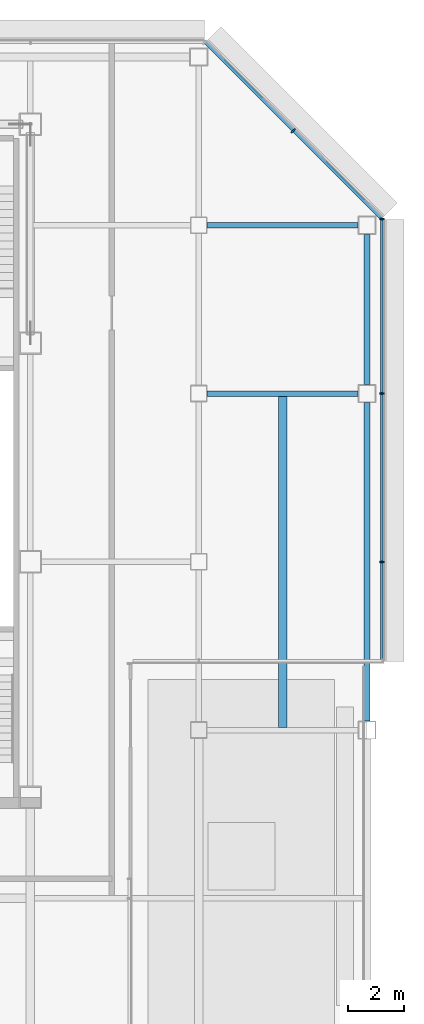
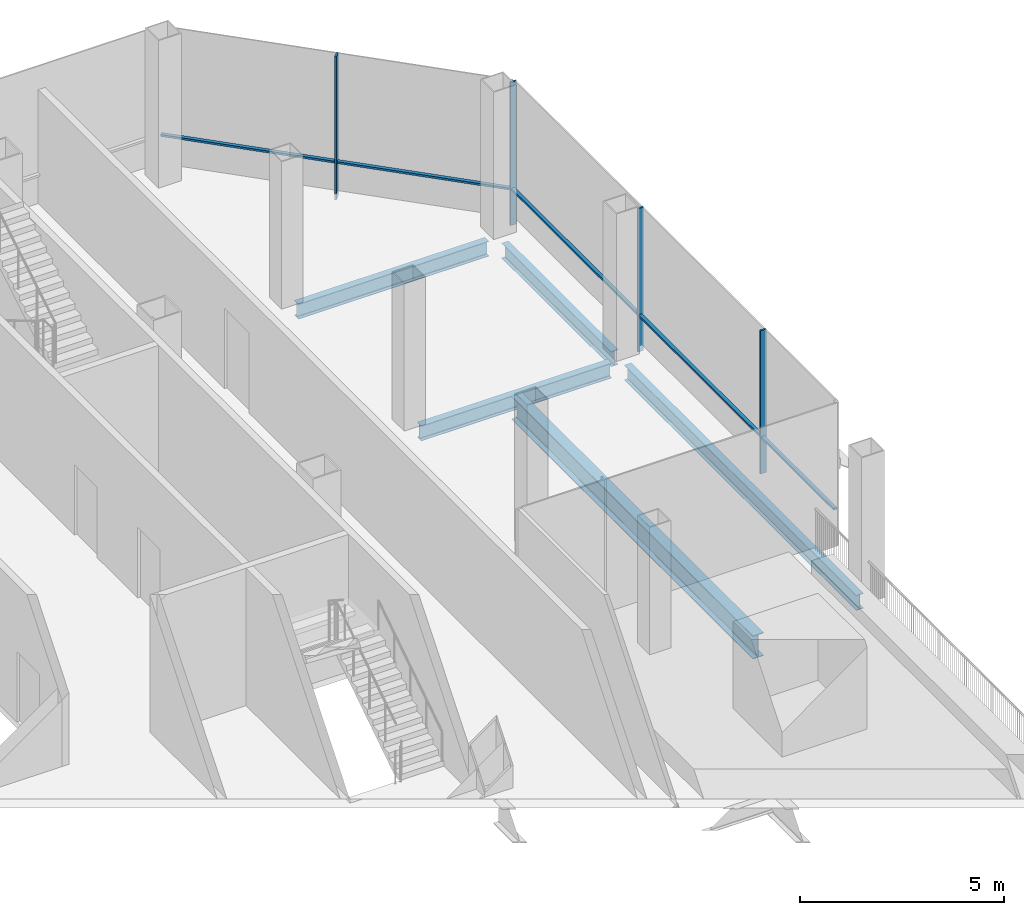
# One storey, part 18 of 30: 6 members, 5 beams, 2 elements without a shape of their own.
"""IFC4 building model written with IfcOpenShell, lengths in metres."""

from ifc_helpers import new_model, si_unit, direction, frame, origin, origin_2d, place, context, subcontext, project, spatial, rectangle, i_section, extrude, material, material_profile, profile_set, type_object, element, aggregate, save


model = new_model("IFC4")

# Units and contexts
model_context = context("Model", 3, precision=1e-05, world=origin(), true_north=direction((0.0, 1.0)))
body_context = subcontext(model_context, "Body", "Model", "MODEL_VIEW")
ifc_project = project(units=[si_unit("LENGTHUNIT", "METRE"), si_unit("AREAUNIT", "SQUARE_METRE"), si_unit("VOLUMEUNIT", "CUBIC_METRE"), si_unit("PLANEANGLEUNIT", "RADIAN"), si_unit("MASSUNIT", "GRAM", prefix="KILO")], contexts=[model_context])

# Site, building, storey
site_placement = place(None, origin())
site = spatial("IfcSite", under=ifc_project, at=site_placement, CompositionType="ELEMENT")
building_placement = place(site_placement, origin())
building = spatial("IfcBuilding", under=site, at=building_placement, Name="Sorahane Residences", CompositionType="ELEMENT")
storey_placement = place(building_placement, frame((0.0, 0.0, 229.800048828125)))
storey = spatial("IfcBuildingStorey", under=building, at=storey_placement, Name="L54", CompositionType="ELEMENT", Elevation=229.800048828125)

# Curtain wall, members
ifc_material_1 = material(Name="Dark low-e glass and black anodised aluminium", Category="aluminium")
curtain_wall_type_1 = type_object("IfcCurtainWallType", Name="Curtain wall CW-1 Typical unitised wall", PredefinedType="NOTDEFINED", material=ifc_material_1)
curtain_wall_1_placement = place(storey_placement, origin())
curtain_wall_1 = element("IfcCurtainWall", 1, at=curtain_wall_1_placement, inside=storey, type_object=curtain_wall_type_1, Name="CW-1 curtain wall L54 E3", PredefinedType="NOTDEFINED")
ifc_material_2 = material(Name="Black anodised aluminium", Category="aluminium")
ifc_material_profile_1 = material_profile(ifc_material_2, rectangle(XDim=0.159912109375, YDim=0.050048828125, at=origin_2d()), Name="Curtain wall mullion CW-1 black anodised aluminium 50x160")
ifc_profile_set_1 = profile_set([ifc_material_profile_1], Name="Black anodised aluminium")
member_type_1 = type_object("IfcMemberType", Name="Curtain wall mullion CW-1 black anodised aluminium 50x160", PredefinedType="MULLION", material=ifc_profile_set_1)
member_1_placement = place(storey_placement, frame((54.5400390625, 30.0, -0.179931640625), z_axis=(0.0, 0.0, 1.0), x_axis=(1.0, 0.0, 0.0)))
member_1 = element("IfcMember", 2, at=member_1_placement, type_object=member_type_1, Name="CW-1 mullion L54 E3.2", PredefinedType="MULLION", context=body_context, shape_type="SweptSolid", body=[
    extrude(rectangle(XDim=0.159912109375, YDim=0.050048828125, at=origin_2d()), origin(), (0.0, 0.0, 1.0), 4.27978515625),
])
member_2_placement = place(storey_placement, frame((54.5400390625, 36.0, -0.179931640625), z_axis=(0.0, 0.0, 1.0), x_axis=(1.0, 0.0, 0.0)))
member_2 = element("IfcMember", 3, at=member_2_placement, type_object=member_type_1, Name="CW-1 mullion L54 E3.3", PredefinedType="MULLION", context=body_context, shape_type="SweptSolid", body=[
    extrude(rectangle(XDim=0.159912109375, YDim=0.050048828125, at=origin_2d()), origin(), (0.0, 0.0, 1.0), 4.27978515625),
])
member_3_placement = place(storey_placement, frame((54.5400390625, 42.2236328125, -0.179931640625), z_axis=(0.0, 0.0, 1.0), x_axis=(1.0, 0.0, 0.0)))
member_3 = element("IfcMember", 4, at=member_3_placement, type_object=member_type_1, Name="CW-1 mullion L54 E3.4", PredefinedType="MULLION", context=body_context, shape_type="SweptSolid", body=[
    extrude(rectangle(XDim=0.159912109375, YDim=0.050048828125, at=origin_2d()), origin(), (0.0, 0.0, 1.0), 4.27978515625),
])

# Curtain wall, member
ifc_material_3 = material(Name="Dark low-e glass and black anodised aluminium", Category="aluminium")
curtain_wall_type_2 = type_object("IfcCurtainWallType", Name="Curtain wall CW-2 Chamfer unitised wall", PredefinedType="NOTDEFINED", material=ifc_material_3)
curtain_wall_2_placement = place(storey_placement, origin())
curtain_wall_2 = element("IfcCurtainWall", 5, at=curtain_wall_2_placement, inside=storey, type_object=curtain_wall_type_2, Name="CW-2 curtain wall L54 NE1", PredefinedType="NOTDEFINED")
ifc_material_4 = material(Name="Black anodised aluminium", Category="aluminium")
ifc_material_profile_2 = material_profile(ifc_material_4, rectangle(XDim=0.199951171875, YDim=0.050048828125, at=origin_2d()), Name="Curtain wall mullion CW-2 black anodised aluminium 50x200")
ifc_profile_set_2 = profile_set([ifc_material_profile_2], Name="Black anodised aluminium")
member_type_2 = type_object("IfcMemberType", Name="Curtain wall mullion CW-2 black anodised aluminium 50x200", PredefinedType="MULLION", material=ifc_profile_set_2)
member_4_placement = place(storey_placement, frame((51.36767578125, 45.36767578125, -0.179931640625), z_axis=(0.0, 0.0, 1.0), x_axis=(0.707106781187, 0.707106781187, 0.0)))
member_4 = element("IfcMember", 6, at=member_4_placement, type_object=member_type_2, Name="CW-2 mullion L54 NE1.2", PredefinedType="MULLION", context=body_context, shape_type="SweptSolid", body=[
    extrude(rectangle(XDim=0.199951171875, YDim=0.050048828125, at=origin_2d()), origin(), (0.0, 0.0, 1.0), 4.27978515625),
])

# Member
ifc_material_5 = material(Name="Black anodised aluminium", Category="aluminium")
ifc_material_profile_3 = material_profile(ifc_material_5, rectangle(XDim=0.10009765625, YDim=0.06005859375, at=origin_2d()), Name="Curtain wall transom CW-1 black anodised aluminium 60x100")
ifc_profile_set_3 = profile_set([ifc_material_profile_3], Name="Black anodised aluminium")
member_type_3 = type_object("IfcMemberType", Name="Curtain wall transom CW-1 black anodised aluminium 60x100", PredefinedType="USERDEFINED", material=ifc_profile_set_3)
member_5_placement = place(storey_placement, frame((54.530029296875, 26.449951171875, 0.89990234375), z_axis=(0.0, 1.0, 0.0), x_axis=(-1.0, 0.0, 0.0)))
member_5 = element("IfcMember", 7, at=member_5_placement, type_object=member_type_3, Name="CW-1 transom L54 E3", ObjectType="TRANSOM", PredefinedType="USERDEFINED", context=body_context, shape_type="SweptSolid", body=[
    extrude(rectangle(XDim=0.10009765625, YDim=0.06005859375, at=origin_2d()), origin(), (0.0, 0.0, 1.0), 15.74853515625),
])

aggregate(curtain_wall_1, [member_1, member_2, member_3, member_5])

ifc_material_6 = material(Name="Black anodised aluminium", Category="aluminium")
ifc_material_profile_4 = material_profile(ifc_material_6, rectangle(XDim=0.10009765625, YDim=0.06005859375, at=origin_2d()), Name="Curtain wall transom CW-2 black anodised aluminium 60x100")
ifc_profile_set_4 = profile_set([ifc_material_profile_4], Name="Black anodised aluminium")
member_type_4 = type_object("IfcMemberType", Name="Curtain wall transom CW-2 black anodised aluminium 60x100", PredefinedType="USERDEFINED", material=ifc_profile_set_4)
member_6_placement = place(storey_placement, frame((54.51513671875, 42.234375, 0.89990234375), z_axis=(-0.707106781187, 0.707106781187, 0.0), x_axis=(-0.707106781187, -0.707106781187, 0.0)))
member_6 = element("IfcMember", 8, at=member_6_placement, type_object=member_type_4, Name="CW-2 transom L54 NE1", ObjectType="TRANSOM", PredefinedType="USERDEFINED", context=body_context, shape_type="SweptSolid", body=[
    extrude(rectangle(XDim=0.10009765625, YDim=0.06005859375, at=origin_2d()), origin(), (0.0, 0.0, 1.0), 8.88232421875),
])

aggregate(curtain_wall_2, [member_4, member_6])

# Beams
ifc_material_7 = material(Name="Steel Q355B", Category="steel")
ifc_material_profile_5 = material_profile(ifc_material_7, i_section(OverallWidth=0.199951171875, OverallDepth=0.449951171875, WebThickness=0.009033203125, FlangeThickness=0.013916015625, FilletRadius=0.02001953125, at=origin_2d()), Name="HN 450x200x9x14")
ifc_profile_set_5 = profile_set([ifc_material_profile_5], Name="Steel Q355B")
beam_type_1 = type_object("IfcBeamType", Name="Steel floor beam HN 450x200x9x14 Q355B", PredefinedType="BEAM", material=ifc_profile_set_5)
beam_1_placement = place(storey_placement, frame((48.300048828125, 36.0, -0.405029296875), z_axis=(1.0, 0.0, 0.0), x_axis=(0.0, 1.0, 0.0)))
element("IfcBeam", 9, at=beam_1_placement, inside=storey, type_object=beam_type_1, Name="Beam L54 014", PredefinedType="BEAM", context=body_context, shape_type="SweptSolid", body=[
    extrude(i_section(OverallWidth=0.199951171875, OverallDepth=0.449951171875, WebThickness=0.009033203125, FlangeThickness=0.013916015625, FilletRadius=0.02001953125, at=origin_2d()), origin(), (0.0, 0.0, 1.0), 5.375),
])
beam_2_placement = place(storey_placement, frame((54.0, 36.324951171875, -0.405029296875), z_axis=(0.0, 1.0, 0.0), x_axis=(-1.0, 0.0, 0.0)))
element("IfcBeam", 10, at=beam_2_placement, inside=storey, type_object=beam_type_1, Name="Beam L54 066", PredefinedType="BEAM", context=body_context, shape_type="SweptSolid", body=[
    extrude(i_section(OverallWidth=0.199951171875, OverallDepth=0.449951171875, WebThickness=0.009033203125, FlangeThickness=0.013916015625, FilletRadius=0.02001953125, at=origin_2d()), origin(), (0.0, 0.0, 1.0), 5.35009765625),
])
beam_3_placement = place(storey_placement, frame((48.300048828125, 42.0, -0.405029296875), z_axis=(1.0, 0.0, 0.0), x_axis=(0.0, 1.0, 0.0)))
element("IfcBeam", 11, at=beam_3_placement, inside=storey, type_object=beam_type_1, Name="Beam L54 090", PredefinedType="BEAM", context=body_context, shape_type="SweptSolid", body=[
    extrude(i_section(OverallWidth=0.199951171875, OverallDepth=0.449951171875, WebThickness=0.009033203125, FlangeThickness=0.013916015625, FilletRadius=0.02001953125, at=origin_2d()), origin(), (0.0, 0.0, 1.0), 5.375),
])
beam_4_placement = place(storey_placement, frame((54.0, 24.324951171875, -0.405029296875), z_axis=(0.0, 1.0, 0.0), x_axis=(-1.0, 0.0, 0.0)))
element("IfcBeam", 12, at=beam_4_placement, inside=storey, type_object=beam_type_1, Name="Terrace edge beam", PredefinedType="BEAM", context=body_context, shape_type="SweptSolid", body=[
    extrude(i_section(OverallWidth=0.199951171875, OverallDepth=0.449951171875, WebThickness=0.009033203125, FlangeThickness=0.013916015625, FilletRadius=0.02001953125, at=origin_2d()), origin(), (0.0, 0.0, 1.0), 11.35009765625),
])
ifc_material_8 = material(Name="Steel Q355B", Category="steel")
ifc_material_profile_6 = material_profile(ifc_material_8, i_section(OverallWidth=0.300048828125, OverallDepth=0.699951171875, WebThickness=0.012939453125, FlangeThickness=0.02392578125, FilletRadius=0.028076171875, at=origin_2d()), Name="HN 700x300x13x24")
ifc_profile_set_6 = profile_set([ifc_material_profile_6], Name="Steel Q355B")
beam_type_2 = type_object("IfcBeamType", Name="Steel floor beam HN 700x300x13x24 Q355B", PredefinedType="BEAM", material=ifc_profile_set_6)
beam_5_placement = place(storey_placement, frame((51.0, 24.10009765625, -0.530029296875), z_axis=(0.0, 1.0, 0.0), x_axis=(-1.0, 0.0, 0.0)))
element("IfcBeam", 13, at=beam_5_placement, inside=storey, type_object=beam_type_2, Name="Beam L54 091", PredefinedType="BEAM", context=body_context, shape_type="SweptSolid", body=[
    extrude(i_section(OverallWidth=0.300048828125, OverallDepth=0.699951171875, WebThickness=0.012939453125, FlangeThickness=0.02392578125, FilletRadius=0.028076171875, at=origin_2d()), origin(), (0.0, 0.0, 1.0), 11.7998046875),
])

save(model, "model.ifc")
